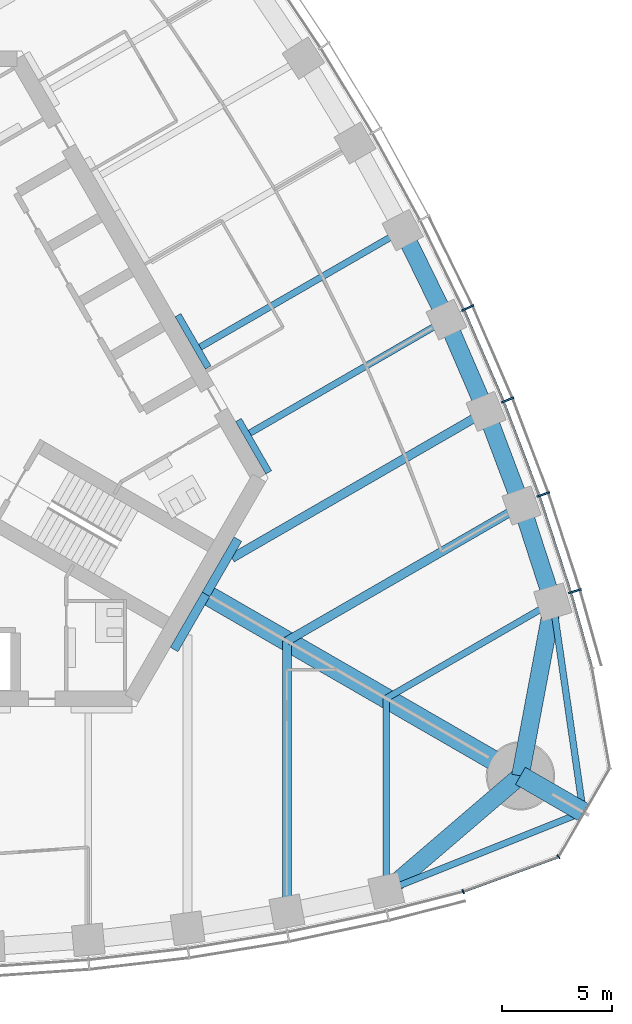
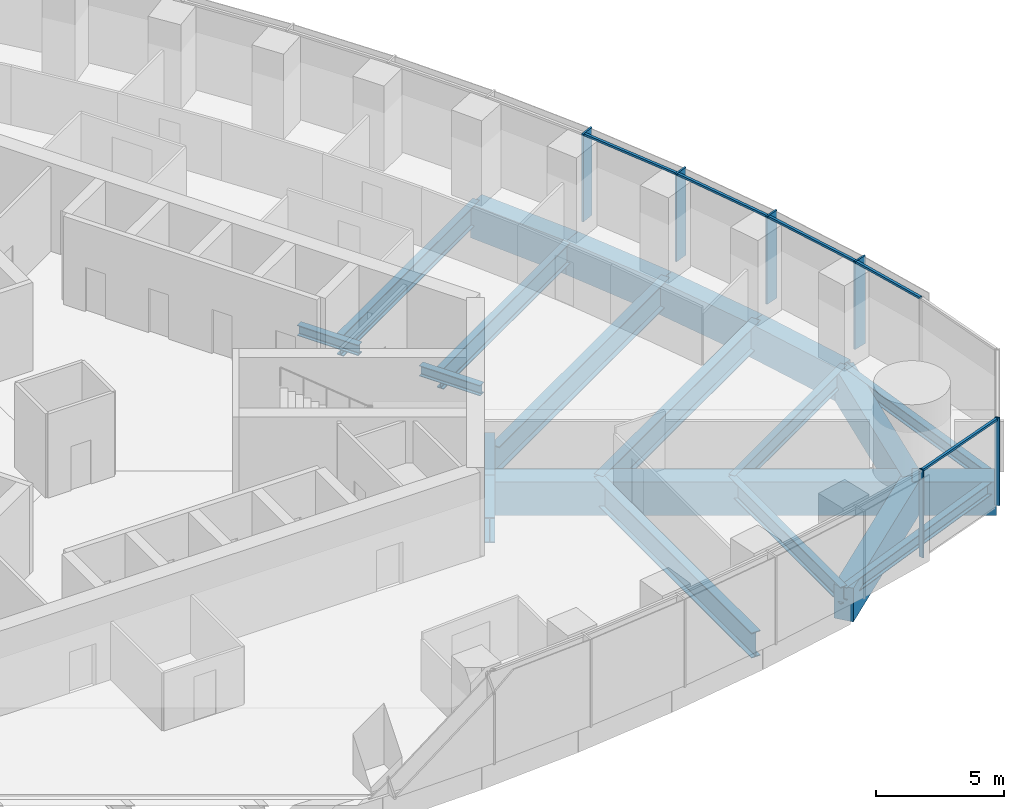
# One storey, part 4 of 19: 21 beams, 11 members, 2 elements without a shape of their own.
"""IFC4 building model written with IfcOpenShell, lengths in metres."""

from ifc_helpers import new_model, si_unit, direction, frame, origin, origin_2d, place, context, subcontext, project, spatial, rectangle, i_section, extrude, material, material_profile, profile_set, type_object, element, aggregate, save


model = new_model("IFC4")

# Units and contexts
model_context = context("Model", 3, precision=1e-05, world=origin(), true_north=direction((0.0, 1.0)))
body_context = subcontext(model_context, "Body", "Model", "MODEL_VIEW")
ifc_project = project(units=[si_unit("LENGTHUNIT", "METRE"), si_unit("AREAUNIT", "SQUARE_METRE"), si_unit("VOLUMEUNIT", "CUBIC_METRE"), si_unit("PLANEANGLEUNIT", "RADIAN"), si_unit("MASSUNIT", "GRAM", prefix="KILO")], contexts=[model_context])

# Site, building, storey
site_placement = place(None, origin())
site = spatial("IfcSite", under=ifc_project, at=site_placement, CompositionType="ELEMENT")
building_placement = place(site_placement, origin())
building = spatial("IfcBuilding", under=site, at=building_placement, Name="Trefoil Bronze Tower", CompositionType="ELEMENT")
storey_placement = place(building_placement, frame((0.0, 0.0, 256.89990234375)))
storey = spatial("IfcBuildingStorey", under=building, at=storey_placement, Name="L59", CompositionType="ELEMENT", Elevation=256.89990234375)

# Curtain wall, members
ifc_material_1 = material(Name="Tinted solar-control glass", Category="glass")
curtain_wall_type_1 = type_object("IfcCurtainWallType", Name="Bronze office curtain wall", PredefinedType="USERDEFINED", material=ifc_material_1)
curtain_wall_1_placement = place(storey_placement, origin())
curtain_wall_1 = element("IfcCurtainWall", 1, at=curtain_wall_1_placement, inside=storey, type_object=curtain_wall_type_1, Name="CW-A L59 F2", ObjectType="CURTAIN WALL", PredefinedType="USERDEFINED")
ifc_material_2 = material(Name="Bronze-finish aluminium", Category="aluminium")
ifc_material_profile_1 = material_profile(ifc_material_2, rectangle(XDim=0.60009765625, YDim=0.080078125, at=origin_2d()), Name="CW-A mullion")
ifc_profile_set_1 = profile_set([ifc_material_profile_1], Name="Bronze-finish aluminium")
member_type_1 = type_object("IfcMemberType", Name="Bronze office curtain wall mullion", PredefinedType="MULLION", material=ifc_profile_set_1)
member_1_placement = place(storey_placement, frame((31.05029296875, -8.132568359375, 0.0), z_axis=(0.0, 0.0, 1.0), x_axis=(-0.95694224323, -0.290278389002, 0.0)))
member_1 = element("IfcMember", 2, at=member_1_placement, type_object=member_type_1, Name="CW-A L59 F2 mullion 2", PredefinedType="MULLION", context=body_context, shape_type="SweptSolid", body=[
    extrude(rectangle(XDim=0.60009765625, YDim=0.080078125, at=origin_2d()), origin(), (0.0, 0.0, 1.0), 4.18017578125),
])
member_2_placement = place(storey_placement, frame((29.619873046875, -3.747314453125, 0.0), z_axis=(0.0, 0.0, 1.0), x_axis=(-0.943180077746, -0.332282020191, 0.0)))
member_2 = element("IfcMember", 3, at=member_2_placement, type_object=member_type_1, Name="CW-A L59 F2 mullion 3", PredefinedType="MULLION", context=body_context, shape_type="SweptSolid", body=[
    extrude(rectangle(XDim=0.60009765625, YDim=0.080078125, at=origin_2d()), origin(), (0.0, 0.0, 1.0), 4.18017578125),
])
member_3_placement = place(storey_placement, frame((27.999755859375, 0.529541015625, 0.0), z_axis=(0.0, 0.0, 1.0), x_axis=(-0.926689348282, -0.375828221106, 0.0)))
member_3 = element("IfcMember", 4, at=member_3_placement, type_object=member_type_1, Name="CW-A L59 F2 mullion 4", PredefinedType="MULLION", context=body_context, shape_type="SweptSolid", body=[
    extrude(rectangle(XDim=0.60009765625, YDim=0.080078125, at=origin_2d()), origin(), (0.0, 0.0, 1.0), 4.18017578125),
])
member_4_placement = place(storey_placement, frame((26.19482421875, 4.699462890625, 0.0), z_axis=(0.0, 0.0, 1.0), x_axis=(-0.908315380354, -0.418285990457, 0.0)))
member_4 = element("IfcMember", 5, at=member_4_placement, type_object=member_type_1, Name="CW-A L59 F2 mullion 5", PredefinedType="MULLION", context=body_context, shape_type="SweptSolid", body=[
    extrude(rectangle(XDim=0.60009765625, YDim=0.080078125, at=origin_2d()), origin(), (0.0, 0.0, 1.0), 4.18017578125),
])
ifc_material_3 = material(Name="Bronze-finish aluminium", Category="aluminium")
ifc_material_profile_2 = material_profile(ifc_material_3, rectangle(XDim=0.1201171875, YDim=0.10009765625, at=origin_2d()), Name="CW-A transom")
ifc_profile_set_2 = profile_set([ifc_material_profile_2], Name="Bronze-finish aluminium")
member_type_2 = type_object("IfcMemberType", Name="Bronze office curtain wall transom", PredefinedType="USERDEFINED", material=ifc_profile_set_2)
member_5_placement = place(storey_placement, frame((31.81201171875, -11.585205078125, 4.130126953125), z_axis=(-0.270284880437, 0.962780392097, 0.0), x_axis=(-0.962780392097, -0.270284880437, 0.0)))
member_5 = element("IfcMember", 6, at=member_5_placement, type_object=member_type_2, Name="CW-A L59 F2 transom 1", ObjectType="TRANSOM", PredefinedType="USERDEFINED", context=body_context, shape_type="SweptSolid", body=[
    extrude(rectangle(XDim=0.1201171875, YDim=0.10009765625, at=origin_2d()), origin(), (0.0, 0.0, 1.0), 3.48388671875),
])
member_6_placement = place(storey_placement, frame((30.845947265625, -8.150634765625, 4.130126953125), z_axis=(-0.310127806788, 0.950694874004, 0.0), x_axis=(-0.950694874004, -0.310127806788, 0.0)))
member_6 = element("IfcMember", 7, at=member_6_placement, type_object=member_type_2, Name="CW-A L59 F2 transom 2", ObjectType="TRANSOM", PredefinedType="USERDEFINED", context=body_context, shape_type="SweptSolid", body=[
    extrude(rectangle(XDim=0.1201171875, YDim=0.10009765625, at=origin_2d()), origin(), (0.0, 0.0, 1.0), 4.51953125),
])
member_7_placement = place(storey_placement, frame((29.416259765625, -3.774169921875, 4.130126953125), z_axis=(-0.354263170896, 0.935145767112, 0.0), x_axis=(-0.935145767112, -0.354263170896, 0.0)))
member_7 = element("IfcMember", 8, at=member_7_placement, type_object=member_type_2, Name="CW-A L59 F2 transom 3", ObjectType="TRANSOM", PredefinedType="USERDEFINED", context=body_context, shape_type="SweptSolid", body=[
    extrude(rectangle(XDim=0.1201171875, YDim=0.10009765625, at=origin_2d()), origin(), (0.0, 0.0, 1.0), 4.4794921875),
])
member_8_placement = place(storey_placement, frame((27.797607421875, 0.4931640625, 4.130126953125), z_axis=(-0.397220936772, 0.917723012346, 0.0), x_axis=(-0.917723012346, -0.397220936772, 0.0)))
member_8 = element("IfcMember", 9, at=member_8_placement, type_object=member_type_2, Name="CW-A L59 F2 transom 4", ObjectType="TRANSOM", PredefinedType="USERDEFINED", context=body_context, shape_type="SweptSolid", body=[
    extrude(rectangle(XDim=0.1201171875, YDim=0.10009765625, at=origin_2d()), origin(), (0.0, 0.0, 1.0), 4.449951171875),
])
aggregate(curtain_wall_1, [member_1, member_2, member_3, member_4, member_5, member_6, member_7, member_8])

ifc_material_4 = material(Name="Tinted solar-control glass", Category="glass")
curtain_wall_type_2 = type_object("IfcCurtainWallType", Name="Bronze rounded corner curtain wall", PredefinedType="USERDEFINED", material=ifc_material_4)
curtain_wall_2_placement = place(storey_placement, origin())
curtain_wall_2 = element("IfcCurtainWall", 10, at=curtain_wall_2_placement, inside=storey, type_object=curtain_wall_type_2, Name="CW-B L59 K1", ObjectType="CURTAIN WALL", PredefinedType="USERDEFINED")
ifc_material_5 = material(Name="Bronze-finish aluminium", Category="aluminium")
ifc_material_profile_3 = material_profile(ifc_material_5, rectangle(XDim=0.199951171875, YDim=0.06005859375, at=origin_2d()), Name="CW-B mullion")
ifc_profile_set_3 = profile_set([ifc_material_profile_3], Name="Bronze-finish aluminium")
member_type_3 = type_object("IfcMemberType", Name="Bronze rounded corner curtain wall mullion", PredefinedType="MULLION", material=ifc_profile_set_3)
member_9_placement = place(storey_placement, frame((25.9873046875, -21.74462890625, 0.0), z_axis=(0.0, 0.0, 1.0), x_axis=(-0.342020143326, 0.939692620786, 0.0)))
member_9 = element("IfcMember", 11, at=member_9_placement, type_object=member_type_3, Name="CW-B L59 K1 mullion 1", PredefinedType="MULLION", context=body_context, shape_type="SweptSolid", body=[
    extrude(rectangle(XDim=0.199951171875, YDim=0.06005859375, at=origin_2d()), origin(), (0.0, 0.0, 1.0), 4.18017578125),
])
member_10_placement = place(storey_placement, frame((30.302490234375, -20.16748046875, 0.0), z_axis=(0.0, 0.0, 1.0), x_axis=(-0.642787609687, 0.766044443119, 0.0)))
member_10 = element("IfcMember", 12, at=member_10_placement, type_object=member_type_3, Name="CW-B L59 K1 mullion 2", PredefinedType="MULLION", context=body_context, shape_type="SweptSolid", body=[
    extrude(rectangle(XDim=0.199951171875, YDim=0.06005859375, at=origin_2d()), origin(), (0.0, 0.0, 1.0), 4.18017578125),
])
ifc_material_6 = material(Name="Bronze-finish aluminium", Category="aluminium")
ifc_material_profile_4 = material_profile(ifc_material_6, rectangle(XDim=0.1201171875, YDim=0.10009765625, at=origin_2d()), Name="CW-B transom")
ifc_profile_set_4 = profile_set([ifc_material_profile_4], Name="Bronze-finish aluminium")
member_type_4 = type_object("IfcMemberType", Name="Bronze rounded corner curtain wall transom", PredefinedType="USERDEFINED", material=ifc_profile_set_4)
member_11_placement = place(storey_placement, frame((26.015380859375, -21.734375, 4.130126953125), z_axis=(0.939680910753, 0.342052314664, 0.0), x_axis=(-0.342052314664, 0.939680910753, 0.0)))
member_11 = element("IfcMember", 13, at=member_11_placement, type_object=member_type_4, Name="CW-B L59 K1 transom 1", ObjectType="TRANSOM", PredefinedType="USERDEFINED", context=body_context, shape_type="SweptSolid", body=[
    extrude(rectangle(XDim=0.1201171875, YDim=0.10009765625, at=origin_2d()), origin(), (0.0, 0.0, 1.0), 4.500244140625),
])
aggregate(curtain_wall_2, [member_9, member_10, member_11])

# Beams
ifc_material_7 = material(Name="Steel C355", Category="steel")
ifc_material_profile_5 = material_profile(ifc_material_7, i_section(OverallWidth=0.300048828125, OverallDepth=0.5, WebThickness=0.014404296875, FlangeThickness=0.028076171875, FilletRadius=0.027099609375, at=origin_2d()), Name="HEB 500")
ifc_profile_set_5 = profile_set([ifc_material_profile_5], Name="Steel C355")
beam_type_1 = type_object("IfcBeamType", Name="Core seat beam HEB 500", PredefinedType="BEAM", material=ifc_profile_set_5)
for number, where, z_axis, x_axis, name in (
    (14, (17.17626953125, -2.75, -0.449951171875), (-0.500035825175, 0.866004719122, 0.0), (-0.866004719122, -0.500035825175, 0.0), "Core seat beam F2/-2 L59"),
    (15, (14.433837890625, 2.0, -0.449951171875), (-0.500035825175, 0.866004719122, 0.0), (-0.866004719122, -0.500035825175, 0.0), "Core seat beam F2/-1 L59"),
):
    element("IfcBeam", number, at=place(storey_placement, frame(where, z_axis=z_axis, x_axis=x_axis)), inside=storey, type_object=beam_type_1, Name=name, PredefinedType="BEAM", context=body_context, shape_type="SweptSolid", body=[
        extrude(i_section(OverallWidth=0.300048828125, OverallDepth=0.5, WebThickness=0.014404296875, FlangeThickness=0.028076171875, FilletRadius=0.027099609375, at=origin_2d()), origin(), (0.0, 0.0, 1.0), 2.742431640625),
    ])
ifc_material_8 = material(Name="Steel C355", Category="steel")
ifc_material_profile_6 = material_profile(ifc_material_8, i_section(OverallWidth=0.39990234375, OverallDepth=1.199951171875, WebThickness=0.02001953125, FlangeThickness=0.0400390625, FilletRadius=0.010009765625, at=origin_2d()), Name="WPG 1200")
ifc_profile_set_6 = profile_set([ifc_material_profile_6], Name="Steel C355")
beam_type_2 = type_object("IfcBeamType", Name="Core seat beam WPG 1200", PredefinedType="BEAM", material=ifc_profile_set_6)
for number, where, z_axis, x_axis, name in (
    (16, (12.889404296875, -10.77490234375, -0.7998046875), (0.499995765644, 0.866027848477, 0.0), (-0.866027848477, 0.499995765644, 0.0), "Core seat beam F1/+3 L59"),
    (17, (14.332763671875, -8.27490234375, -0.7998046875), (0.499995765644, 0.866027848477, 0.0), (-0.866027848477, 0.499995765644, 0.0), "Core seat beam F2/-3 L59"),
):
    element("IfcBeam", number, at=place(storey_placement, frame(where, z_axis=z_axis, x_axis=x_axis)), inside=storey, type_object=beam_type_2, Name=name, PredefinedType="BEAM", context=body_context, shape_type="SweptSolid", body=[
        extrude(i_section(OverallWidth=0.39990234375, OverallDepth=1.199951171875, WebThickness=0.02001953125, FlangeThickness=0.0400390625, FilletRadius=0.010009765625, at=origin_2d()), origin(), (0.0, 0.0, 1.0), 2.88671875),
    ])
ifc_material_9 = material(Name="Concrete B80", Category="concrete")
ifc_material_profile_7 = material_profile(ifc_material_9, rectangle(XDim=0.89990234375, YDim=1.60009765625, at=origin_2d()), Name="RC 900x1600")
ifc_profile_set_7 = profile_set([ifc_material_profile_7], Name="Concrete B80")
beam_type_3 = type_object("IfcBeamType", Name="Corner cantilever RC 900x1600", PredefinedType="BEAM", material=ifc_profile_set_7)
beam_1_placement = place(storey_placement, frame((28.578857421875, -16.5, -1.0), z_axis=(0.866016004958, -0.500016278891, 0.0), x_axis=(0.500016278891, 0.866016004958, 0.0)))
element("IfcBeam", 18, at=beam_1_placement, inside=storey, type_object=beam_type_3, Name="Corner cantilever K1 L59", PredefinedType="BEAM", context=body_context, shape_type="SweptSolid", body=[
    extrude(rectangle(XDim=0.89990234375, YDim=1.60009765625, at=origin_2d()), origin(), (0.0, 0.0, 1.0), 3.28466796875),
])
ifc_material_10 = material(Name="Steel C355", Category="steel")
ifc_material_profile_8 = material_profile(ifc_material_10, i_section(OverallWidth=0.300048828125, OverallDepth=0.60009765625, WebThickness=0.015380859375, FlangeThickness=0.030029296875, FilletRadius=0.027099609375, at=origin_2d()), Name="HEB 600")
ifc_profile_set_8 = profile_set([ifc_material_profile_8], Name="Steel C355")
beam_type_4 = type_object("IfcBeamType", Name="Corner edge beam HEB 600", PredefinedType="BEAM", material=ifc_profile_set_8)
for number, where, z_axis, x_axis, name in (
    (19, (22.5, -21.71044921875, -0.5), (0.92852048463, 0.371281173266, 0.0), (-0.371281173266, 0.92852048463, 0.0), "Corner edge beam F1A L59"),
    (20, (30.052001953125, -8.63037109375, -0.5), (0.142694489722, -0.989766781925, 0.0), (0.989766781925, 0.142694489722, 0.0), "Corner edge beam F2B L59"),
):
    element("IfcBeam", number, at=place(storey_placement, frame(where, z_axis=z_axis, x_axis=x_axis)), inside=storey, type_object=beam_type_4, Name=name, PredefinedType="BEAM", context=body_context, shape_type="SweptSolid", body=[
        extrude(i_section(OverallWidth=0.300048828125, OverallDepth=0.60009765625, WebThickness=0.015380859375, FlangeThickness=0.030029296875, FilletRadius=0.027099609375, at=origin_2d()), origin(), (0.0, 0.0, 1.0), 9.6103515625),
    ])
ifc_material_11 = material(Name="Concrete B80", Category="concrete")
ifc_material_profile_9 = material_profile(ifc_material_11, rectangle(XDim=0.89990234375, YDim=1.60009765625, at=origin_2d()), Name="RC 900x1600")
ifc_profile_set_9 = profile_set([ifc_material_profile_9], Name="Concrete B80")
beam_type_5 = type_object("IfcBeamType", Name="Corner girder RC 900x1600", PredefinedType="BEAM", material=ifc_profile_set_9)
beam_2_placement = place(storey_placement, frame((14.159423828125, -8.175048828125, -1.0), z_axis=(0.866028334591, -0.49999492366, 0.0), x_axis=(0.49999492366, 0.866028334591, 0.0)))
element("IfcBeam", 21, at=beam_2_placement, inside=storey, type_object=beam_type_5, Name="Corner girder K1 L59", PredefinedType="BEAM", context=body_context, shape_type="SweptSolid", body=[
    extrude(rectangle(XDim=0.89990234375, YDim=1.60009765625, at=origin_2d()), origin(), (0.0, 0.0, 1.0), 16.650146484375),
])
ifc_material_12 = material(Name="Concrete B80", Category="concrete")
ifc_material_profile_10 = material_profile(ifc_material_12, rectangle(XDim=0.800048828125, YDim=1.60009765625, at=origin_2d()), Name="RC 800x1600")
ifc_profile_set_10 = profile_set([ifc_material_profile_10], Name="Concrete B80")
beam_type_6 = type_object("IfcBeamType", Name="End spandrel beam RC 800x1600", PredefinedType="SPANDREL", material=ifc_profile_set_10)
for number, where, z_axis, x_axis, name in (
    (22, (22.5, -21.71044921875, -1.0), (0.759256602365, 0.650791373456, 0.0), (-0.650791373456, 0.759256602365, 0.0), "Spandrel F1.12 L59"),
    (23, (28.578857421875, -16.5, -1.0), (0.18399763073, 0.982926686933, 0.0), (-0.982926686933, 0.18399763073, 0.0), "Spandrel F2.1 L59"),
):
    element("IfcBeam", number, at=place(storey_placement, frame(where, z_axis=z_axis, x_axis=x_axis)), inside=storey, type_object=beam_type_6, Name=name, PredefinedType="SPANDREL", context=body_context, shape_type="SweptSolid", body=[
        extrude(rectangle(XDim=0.800048828125, YDim=1.60009765625, at=origin_2d()), origin(), (0.0, 0.0, 1.0), 8.00634765625),
    ])
ifc_material_13 = material(Name="Steel C355", Category="steel")
ifc_material_profile_11 = material_profile(ifc_material_13, i_section(OverallWidth=0.300048828125, OverallDepth=1.0, WebThickness=0.01904296875, FlangeThickness=0.035888671875, FilletRadius=0.030029296875, at=origin_2d()), Name="HEB 1000")
ifc_profile_set_11 = profile_set([ifc_material_profile_11], Name="Steel C355")
beam_type_7 = type_object("IfcBeamType", Name="Floor beam HEB 1000", PredefinedType="BEAM", material=ifc_profile_set_11)
beam_3_placement = place(storey_placement, frame((25.2265625, 4.17236328125, -0.699951171875), z_axis=(-0.866019527493, -0.500010177898, 0.0), x_axis=(0.500010177898, -0.866019527493, 0.0)))
element("IfcBeam", 24, at=beam_3_placement, inside=storey, type_object=beam_type_7, Name="Floor beam F2/-2 L59", PredefinedType="BEAM", context=body_context, shape_type="SweptSolid", body=[
    extrude(i_section(OverallWidth=0.300048828125, OverallDepth=1.0, WebThickness=0.01904296875, FlangeThickness=0.035888671875, FilletRadius=0.030029296875, at=origin_2d()), origin(), (0.0, 0.0, 1.0), 10.282958984375),
])
ifc_material_14 = material(Name="Steel C355", Category="steel")
ifc_material_profile_12 = material_profile(ifc_material_14, i_section(OverallWidth=0.300048828125, OverallDepth=0.800048828125, WebThickness=0.017578125, FlangeThickness=0.032958984375, FilletRadius=0.030029296875, at=origin_2d()), Name="HEB 800")
ifc_profile_set_12 = profile_set([ifc_material_profile_12], Name="Steel C355")
beam_type_8 = type_object("IfcBeamType", Name="Floor beam HEB 800", PredefinedType="BEAM", material=ifc_profile_set_12)
beam_4_placement = place(storey_placement, frame((22.5, -21.71044921875, -0.599853515625), z_axis=(0.0, 1.0, 0.0), x_axis=(-1.0, 0.0, 0.0)))
element("IfcBeam", 25, at=beam_4_placement, inside=storey, type_object=beam_type_8, Name="Floor beam F1/+5 L59", PredefinedType="BEAM", context=body_context, shape_type="SweptSolid", body=[
    extrude(i_section(OverallWidth=0.300048828125, OverallDepth=0.800048828125, WebThickness=0.017578125, FlangeThickness=0.032958984375, FilletRadius=0.030029296875, at=origin_2d()), origin(), (0.0, 0.0, 1.0), 8.719970703125),
])
beam_5_placement = place(storey_placement, frame((30.052001953125, -8.63037109375, -0.599853515625), z_axis=(-0.866027535932, -0.499996306993, 0.0), x_axis=(0.499996306993, -0.866027535932, 0.0)))
element("IfcBeam", 26, at=beam_5_placement, inside=storey, type_object=beam_type_8, Name="Floor beam F2/-5 L59", PredefinedType="BEAM", context=body_context, shape_type="SweptSolid", body=[
    extrude(i_section(OverallWidth=0.300048828125, OverallDepth=0.800048828125, WebThickness=0.017578125, FlangeThickness=0.032958984375, FilletRadius=0.030029296875, at=origin_2d()), origin(), (0.0, 0.0, 1.0), 8.72021484375),
])
ifc_material_15 = material(Name="Steel C355", Category="steel")
ifc_material_profile_13 = material_profile(ifc_material_15, i_section(OverallWidth=0.302001953125, OverallDepth=1.008056640625, WebThickness=0.02099609375, FlangeThickness=0.0400390625, FilletRadius=0.030029296875, at=origin_2d()), Name="HEM 1000")
ifc_profile_set_13 = profile_set([ifc_material_profile_13], Name="Steel C355")
beam_type_9 = type_object("IfcBeamType", Name="Floor beam HEM 1000", PredefinedType="BEAM", material=ifc_profile_set_13)
beam_6_placement = place(storey_placement, frame((23.248046875, 8.22607421875, -0.703857421875), z_axis=(-0.86602981261, -0.499992363612, 0.0), x_axis=(0.499992363612, -0.86602981261, 0.0)))
element("IfcBeam", 27, at=beam_6_placement, inside=storey, type_object=beam_type_9, Name="Floor beam F2/-1 L59", PredefinedType="BEAM", context=body_context, shape_type="SweptSolid", body=[
    extrude(i_section(OverallWidth=0.302001953125, OverallDepth=1.008056640625, WebThickness=0.02099609375, FlangeThickness=0.0400390625, FilletRadius=0.030029296875, at=origin_2d()), origin(), (0.0, 0.0, 1.0), 10.596435546875),
])
ifc_material_16 = material(Name="Steel C355", Category="steel")
ifc_material_profile_14 = material_profile(ifc_material_16, i_section(OverallWidth=0.39990234375, OverallDepth=1.199951171875, WebThickness=0.02001953125, FlangeThickness=0.0400390625, FilletRadius=0.010009765625, at=origin_2d()), Name="WPG 1200")
ifc_profile_set_14 = profile_set([ifc_material_profile_14], Name="Steel C355")
beam_type_10 = type_object("IfcBeamType", Name="Floor beam WPG 1200", PredefinedType="BEAM", material=ifc_profile_set_14)
beam_7_placement = place(storey_placement, frame((18.0, -22.6689453125, -0.7998046875), z_axis=(0.0, 1.0, 0.0), x_axis=(-1.0, 0.0, 0.0)))
element("IfcBeam", 28, at=beam_7_placement, inside=storey, type_object=beam_type_10, Name="Floor beam F1/+4 L59", PredefinedType="BEAM", context=body_context, shape_type="SweptSolid", body=[
    extrude(i_section(OverallWidth=0.39990234375, OverallDepth=1.199951171875, WebThickness=0.02001953125, FlangeThickness=0.0400390625, FilletRadius=0.010009765625, at=origin_2d()), origin(), (0.0, 0.0, 1.0), 12.276611328125),
])
beam_8_placement = place(storey_placement, frame((28.632080078125, -4.25390625, -0.7998046875), z_axis=(-0.866025635187, -0.499999599199, 0.0), x_axis=(0.499999599199, -0.866025635187, 0.0)))
element("IfcBeam", 29, at=beam_8_placement, inside=storey, type_object=beam_type_10, Name="Floor beam F2/-4 L59", PredefinedType="BEAM", context=body_context, shape_type="SweptSolid", body=[
    extrude(i_section(OverallWidth=0.39990234375, OverallDepth=1.199951171875, WebThickness=0.02001953125, FlangeThickness=0.0400390625, FilletRadius=0.010009765625, at=origin_2d()), origin(), (0.0, 0.0, 1.0), 12.27685546875),
])
beam_9_placement = place(storey_placement, frame((27.022216796875, 0.012939453125, -0.7998046875), z_axis=(-0.866023461342, -0.500003364394, 0.0), x_axis=(0.500003364394, -0.866023461342, 0.0)))
element("IfcBeam", 30, at=beam_9_placement, inside=storey, type_object=beam_type_10, Name="Floor beam F2/-3 L59", PredefinedType="BEAM", context=body_context, shape_type="SweptSolid", body=[
    extrude(i_section(OverallWidth=0.39990234375, OverallDepth=1.199951171875, WebThickness=0.02001953125, FlangeThickness=0.0400390625, FilletRadius=0.010009765625, at=origin_2d()), origin(), (0.0, 0.0, 1.0), 13.291015625),
])
ifc_material_17 = material(Name="Concrete B80", Category="concrete")
ifc_material_profile_15 = material_profile(ifc_material_17, rectangle(XDim=0.800048828125, YDim=1.60009765625, at=origin_2d()), Name="RC 800x1600")
ifc_profile_set_15 = profile_set([ifc_material_profile_15], Name="Concrete B80")
beam_type_11 = type_object("IfcBeamType", Name="Spandrel beam RC 800x1600", PredefinedType="SPANDREL", material=ifc_profile_set_15)
beam_10_placement = place(storey_placement, frame((30.052001953125, -8.63037109375, -1.0), z_axis=(-0.308608505504, 0.951189145402, 0.0), x_axis=(-0.951189145402, -0.308608505504, 0.0)))
element("IfcBeam", 31, at=beam_10_placement, inside=storey, type_object=beam_type_11, Name="Spandrel F2.2 L59", PredefinedType="SPANDREL", context=body_context, shape_type="SweptSolid", body=[
    extrude(rectangle(XDim=0.800048828125, YDim=1.60009765625, at=origin_2d()), origin(), (0.0, 0.0, 1.0), 4.60107421875),
])
beam_11_placement = place(storey_placement, frame((28.632080078125, -4.25390625, -1.0), z_axis=(-0.353005969632, 0.935621069346, 0.0), x_axis=(-0.935621069346, -0.353005969632, 0.0)))
element("IfcBeam", 32, at=beam_11_placement, inside=storey, type_object=beam_type_11, Name="Spandrel F2.3 L59", PredefinedType="SPANDREL", context=body_context, shape_type="SweptSolid", body=[
    extrude(rectangle(XDim=0.800048828125, YDim=1.60009765625, at=origin_2d()), origin(), (0.0, 0.0, 1.0), 4.560546875),
])
beam_12_placement = place(storey_placement, frame((27.022216796875, 0.012939453125, -1.0), z_axis=(-0.396350337164, 0.918099346602, 0.0), x_axis=(-0.918099346602, -0.396350337164, 0.0)))
element("IfcBeam", 33, at=beam_12_placement, inside=storey, type_object=beam_type_11, Name="Spandrel F2.4 L59", PredefinedType="SPANDREL", context=body_context, shape_type="SweptSolid", body=[
    extrude(rectangle(XDim=0.800048828125, YDim=1.60009765625, at=origin_2d()), origin(), (0.0, 0.0, 1.0), 4.530517578125),
])
beam_13_placement = place(storey_placement, frame((25.2265625, 4.17236328125, -1.0), z_axis=(-0.438619830351, 0.898672712629, 0.0), x_axis=(-0.898672712629, -0.438619830351, 0.0)))
element("IfcBeam", 34, at=beam_13_placement, inside=storey, type_object=beam_type_11, Name="Spandrel F2.5 L59", PredefinedType="SPANDREL", context=body_context, shape_type="SweptSolid", body=[
    extrude(rectangle(XDim=0.800048828125, YDim=1.60009765625, at=origin_2d()), origin(), (0.0, 0.0, 1.0), 4.5107421875),
])

save(model, "model.ifc")
